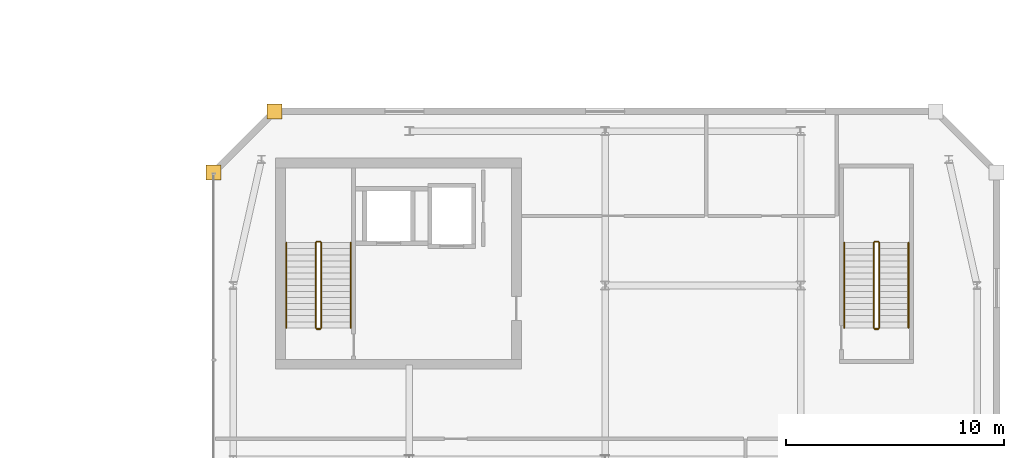
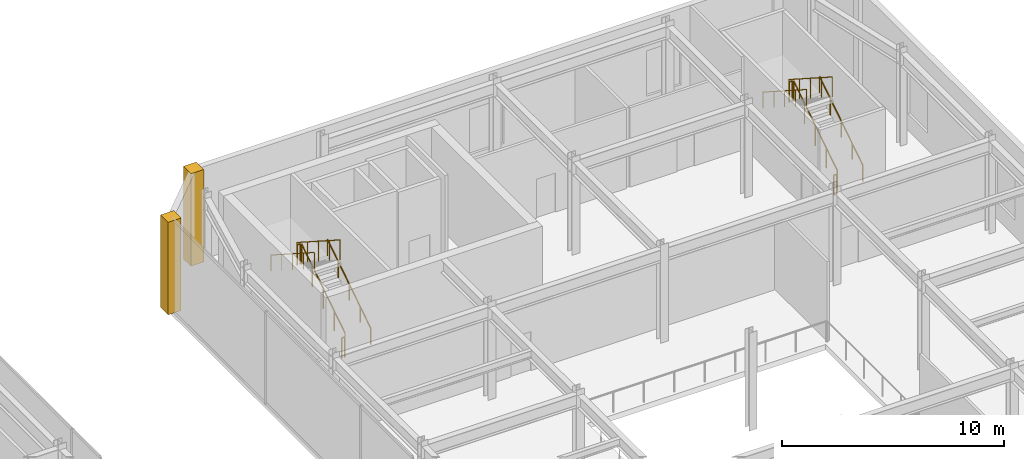
# One storey, part 51 of 52: 12 railings, 2 coverings.
"""IFC4 building model written with IfcOpenShell, lengths in metres."""

from ifc_helpers import new_model, si_unit, direction, frame, origin, origin_2d, place, context, subcontext, project, spatial, polyline, circle, outline, extrude, material, layer, layer_set, type_object, element, save


model = new_model("IFC4")

# Units and contexts
model_context = context("Model", 3, precision=1e-05, world=origin(), true_north=direction((0.0, 1.0)))
body_context = subcontext(model_context, "Body", "Model", "MODEL_VIEW")
ifc_project = project(units=[si_unit("LENGTHUNIT", "METRE"), si_unit("AREAUNIT", "SQUARE_METRE"), si_unit("VOLUMEUNIT", "CUBIC_METRE"), si_unit("PLANEANGLEUNIT", "RADIAN"), si_unit("MASSUNIT", "GRAM", prefix="KILO")], contexts=[model_context])

# Site, building, storey
site_placement = place(None, origin())
site = spatial("IfcSite", under=ifc_project, at=site_placement, CompositionType="ELEMENT")
building_placement = place(site_placement, origin())
building = spatial("IfcBuilding", under=site, at=building_placement, Name="Saevonmaru Cultural Tower", CompositionType="ELEMENT")
storey_placement = place(building_placement, frame((0.0, 0.0, 11.39990234375)))
storey = spatial("IfcBuildingStorey", under=building, at=storey_placement, Name="L02", CompositionType="ELEMENT", Elevation=11.39990234375)

# Coverings
ifc_material_1 = material(Name="Satin Bronze Anodised Aluminium", Category="aluminium")
ifc_layer = layer(ifc_material_1, 0.679931640625, Name="Satin Bronze Anodised Aluminium")
ifc_layer_set = layer_set([ifc_layer], Name="Satin Bronze Anodised Aluminium")
covering_type = type_object("IfcCoveringType", Name="CV-CORNER-CLAD", PredefinedType="CLADDING", material=ifc_layer_set)
covering_1_placement = place(storey_placement, origin())
element("IfcCovering", 1, at=covering_1_placement, inside=storey, type_object=covering_type, Name="L02 Library Bronze Corner Cladding Pier 7", PredefinedType="CLADDING", context=body_context, shape_type="SweptSolid", body=[
    extrude(outline(polyline([(74.659912109375, 47.659912109375), (75.340087890625, 47.659912109375), (75.340087890625, 48.340087890625), (74.659912109375, 48.340087890625), (74.659912109375, 47.659912109375)])), origin(), (0.0, 0.0, 1.0), 5.10009765625),
])
covering_2_placement = place(storey_placement, origin())
element("IfcCovering", 2, at=covering_2_placement, inside=storey, type_object=covering_type, Name="L02 Library Bronze Corner Cladding Pier 8", PredefinedType="CLADDING", context=body_context, shape_type="SweptSolid", body=[
    extrude(outline(polyline([(71.860107421875, 44.860107421875), (72.5400390625, 44.860107421875), (72.5400390625, 45.5400390625), (71.860107421875, 45.5400390625), (71.860107421875, 44.860107421875)])), origin(), (0.0, 0.0, 1.0), 5.10009765625),
])

# Railings
ifc_material_2 = material(Name="Architectural Painted Steel", Category="steel")
railing_type_1 = type_object("IfcRailingType", Name="RL-STAIR-GUARD", PredefinedType="GUARDRAIL", material=ifc_material_2)
railing_1_placement = place(storey_placement, frame((77.14990234375, 38.050048828125, 0.18017578125)))
element("IfcRailing", 3, at=railing_1_placement, inside=storey, type_object=railing_type_1, Name="L02 LST-1 stair guard 1", PredefinedType="GUARDRAIL", context=body_context, shape_type="SweptSolid", body=[
    extrude(circle(Radius=0.02392578125, at=origin_2d()), frame((0.0, 0.0, 1.09619140625), z_axis=(0.0, 0.841171666519, 0.540768182723), x_axis=(-1.0, 0.0, 0.0)), (0.0, 0.0, 1.0), 4.66015625),
    extrude(circle(Radius=0.02099609375, at=origin_2d()), origin(), (0.0, 0.0, 1.0), 1.072021484375),
    extrude(circle(Radius=0.02099609375, at=origin_2d()), frame((0.0, 0.97998046875, 0.6298828125)), (0.0, 0.0, 1.0), 1.072021484375),
    extrude(circle(Radius=0.02099609375, at=origin_2d()), frame((0.0, 1.9599609375, 1.260009765625)), (0.0, 0.0, 1.0), 1.072021484375),
    extrude(circle(Radius=0.02099609375, at=origin_2d()), frame((0.0, 2.93994140625, 1.89013671875)), (0.0, 0.0, 1.0), 1.072021484375),
    extrude(circle(Radius=0.02099609375, at=origin_2d()), frame((0.0, 3.919921875, 2.52001953125)), (0.0, 0.0, 1.0), 1.072021484375),
])
railing_2_placement = place(storey_placement, frame((77.10009765625, 42.02001953125, 2.7001953125)))
element("IfcRailing", 4, at=railing_2_placement, inside=storey, type_object=railing_type_1, Name="L02 LST-1 stair guard 2", PredefinedType="GUARDRAIL", context=body_context, shape_type="SweptSolid", body=[
    extrude(circle(Radius=0.02392578125, at=origin_2d()), frame((0.0, 0.0, 1.09619140625), z_axis=(-1.0, 0.0, 0.0), x_axis=(0.0, -1.0, 0.0)), (0.0, 0.0, 1.0), 0.150146484375),
    extrude(circle(Radius=0.02099609375, at=origin_2d()), origin(), (0.0, 0.0, 1.0), 1.072021484375),
    extrude(circle(Radius=0.02099609375, at=origin_2d()), frame((-0.150146484375, 0.0, 0.0)), (0.0, 0.0, 1.0), 1.072021484375),
])
railing_3_placement = place(storey_placement, frame((76.89990234375, 41.969970703125, 2.880126953125)))
element("IfcRailing", 5, at=railing_3_placement, inside=storey, type_object=railing_type_1, Name="L02 LST-1 stair guard 3", PredefinedType="GUARDRAIL", context=body_context, shape_type="SweptSolid", body=[
    extrude(circle(Radius=0.02392578125, at=origin_2d()), frame((0.0, 0.0, 1.09619140625), z_axis=(0.0, -0.841171666519, 0.540768182723), x_axis=(1.0, 0.0, 0.0)), (0.0, 0.0, 1.0), 4.66015625),
    extrude(circle(Radius=0.02099609375, at=origin_2d()), origin(), (0.0, 0.0, 1.0), 1.072021484375),
    extrude(circle(Radius=0.02099609375, at=origin_2d()), frame((0.0, -0.97998046875, 0.6298828125)), (0.0, 0.0, 1.0), 1.072021484375),
    extrude(circle(Radius=0.02099609375, at=origin_2d()), frame((0.0, -1.9599609375, 1.260009765625)), (0.0, 0.0, 1.0), 1.072021484375),
    extrude(circle(Radius=0.02099609375, at=origin_2d()), frame((0.0, -2.93994140625, 1.89013671875)), (0.0, 0.0, 1.0), 1.072021484375),
    extrude(circle(Radius=0.02099609375, at=origin_2d()), frame((0.0, -3.919921875, 2.52001953125)), (0.0, 0.0, 1.0), 1.072021484375),
])
railing_4_placement = place(storey_placement, frame((77.10009765625, 38.0, 0.0)))
element("IfcRailing", 6, at=railing_4_placement, inside=storey, type_object=railing_type_1, Name="L02 LST-1 stair guard 4", PredefinedType="GUARDRAIL", context=body_context, shape_type="SweptSolid", body=[
    extrude(circle(Radius=0.02392578125, at=origin_2d()), frame((0.0, 0.0, 1.09619140625), z_axis=(-1.0, 0.0, 0.0), x_axis=(0.0, -1.0, 0.0)), (0.0, 0.0, 1.0), 0.150146484375),
    extrude(circle(Radius=0.02099609375, at=origin_2d()), origin(), (0.0, 0.0, 1.0), 1.072021484375),
    extrude(circle(Radius=0.02099609375, at=origin_2d()), frame((-0.150146484375, 0.0, 0.0)), (0.0, 0.0, 1.0), 1.072021484375),
])
railing_5_placement = place(storey_placement, frame((102.800048828125, 38.050048828125, 0.18017578125)))
element("IfcRailing", 7, at=railing_5_placement, inside=storey, type_object=railing_type_1, Name="L02 LST-2 stair guard 1", PredefinedType="GUARDRAIL", context=body_context, shape_type="SweptSolid", body=[
    extrude(circle(Radius=0.02392578125, at=origin_2d()), frame((0.0, 0.0, 1.09619140625), z_axis=(0.0, 0.841171666519, 0.540768182723), x_axis=(-1.0, 0.0, 0.0)), (0.0, 0.0, 1.0), 4.66015625),
    extrude(circle(Radius=0.02099609375, at=origin_2d()), origin(), (0.0, 0.0, 1.0), 1.072021484375),
    extrude(circle(Radius=0.02099609375, at=origin_2d()), frame((0.0, 0.97998046875, 0.6298828125)), (0.0, 0.0, 1.0), 1.072021484375),
    extrude(circle(Radius=0.02099609375, at=origin_2d()), frame((0.0, 1.9599609375, 1.260009765625)), (0.0, 0.0, 1.0), 1.072021484375),
    extrude(circle(Radius=0.02099609375, at=origin_2d()), frame((0.0, 2.93994140625, 1.89013671875)), (0.0, 0.0, 1.0), 1.072021484375),
    extrude(circle(Radius=0.02099609375, at=origin_2d()), frame((0.0, 3.919921875, 2.52001953125)), (0.0, 0.0, 1.0), 1.072021484375),
])
railing_6_placement = place(storey_placement, frame((102.75, 42.02001953125, 2.7001953125)))
element("IfcRailing", 8, at=railing_6_placement, inside=storey, type_object=railing_type_1, Name="L02 LST-2 stair guard 2", PredefinedType="GUARDRAIL", context=body_context, shape_type="SweptSolid", body=[
    extrude(circle(Radius=0.02392578125, at=origin_2d()), frame((0.0, 0.0, 1.09619140625), z_axis=(-1.0, 0.0, 0.0), x_axis=(0.0, -1.0, 0.0)), (0.0, 0.0, 1.0), 0.14990234375),
    extrude(circle(Radius=0.02099609375, at=origin_2d()), origin(), (0.0, 0.0, 1.0), 1.072021484375),
    extrude(circle(Radius=0.02099609375, at=origin_2d()), frame((-0.14990234375, 0.0, 0.0)), (0.0, 0.0, 1.0), 1.072021484375),
])
railing_7_placement = place(storey_placement, frame((102.550048828125, 41.969970703125, 2.880126953125)))
element("IfcRailing", 9, at=railing_7_placement, inside=storey, type_object=railing_type_1, Name="L02 LST-2 stair guard 3", PredefinedType="GUARDRAIL", context=body_context, shape_type="SweptSolid", body=[
    extrude(circle(Radius=0.02392578125, at=origin_2d()), frame((0.0, 0.0, 1.09619140625), z_axis=(0.0, -0.841171666519, 0.540768182723), x_axis=(1.0, 0.0, 0.0)), (0.0, 0.0, 1.0), 4.66015625),
    extrude(circle(Radius=0.02099609375, at=origin_2d()), origin(), (0.0, 0.0, 1.0), 1.072021484375),
    extrude(circle(Radius=0.02099609375, at=origin_2d()), frame((0.0, -0.97998046875, 0.6298828125)), (0.0, 0.0, 1.0), 1.072021484375),
    extrude(circle(Radius=0.02099609375, at=origin_2d()), frame((0.0, -1.9599609375, 1.260009765625)), (0.0, 0.0, 1.0), 1.072021484375),
    extrude(circle(Radius=0.02099609375, at=origin_2d()), frame((0.0, -2.93994140625, 1.89013671875)), (0.0, 0.0, 1.0), 1.072021484375),
    extrude(circle(Radius=0.02099609375, at=origin_2d()), frame((0.0, -3.919921875, 2.52001953125)), (0.0, 0.0, 1.0), 1.072021484375),
])
railing_8_placement = place(storey_placement, frame((102.75, 38.0, 0.0)))
element("IfcRailing", 10, at=railing_8_placement, inside=storey, type_object=railing_type_1, Name="L02 LST-2 stair guard 4", PredefinedType="GUARDRAIL", context=body_context, shape_type="SweptSolid", body=[
    extrude(circle(Radius=0.02392578125, at=origin_2d()), frame((0.0, 0.0, 1.09619140625), z_axis=(-1.0, 0.0, 0.0), x_axis=(0.0, -1.0, 0.0)), (0.0, 0.0, 1.0), 0.14990234375),
    extrude(circle(Radius=0.02099609375, at=origin_2d()), origin(), (0.0, 0.0, 1.0), 1.072021484375),
    extrude(circle(Radius=0.02099609375, at=origin_2d()), frame((-0.14990234375, 0.0, 0.0)), (0.0, 0.0, 1.0), 1.072021484375),
])
railing_type_2 = type_object("IfcRailingType", Name="RL-STAIR-HANDRAIL", PredefinedType="HANDRAIL", material=ifc_material_1)
railing_9_placement = place(storey_placement, frame((78.5, 38.050048828125, 0.18017578125)))
element("IfcRailing", 11, at=railing_9_placement, inside=storey, type_object=railing_type_2, Name="L02 LST-1 stair handrail 1", PredefinedType="HANDRAIL", context=body_context, shape_type="SweptSolid", body=[
    extrude(circle(Radius=0.02392578125, at=origin_2d()), frame((0.0, 0.0, 0.8759765625), z_axis=(0.0, 0.841171666519, 0.540768182723), x_axis=(-1.0, 0.0, 0.0)), (0.0, 0.0, 1.0), 4.66015625),
    extrude(circle(Radius=0.02099609375, at=origin_2d()), origin(), (0.0, 0.0, 1.0), 0.851806640625),
    extrude(circle(Radius=0.02099609375, at=origin_2d()), frame((0.0, 0.97998046875, 0.6298828125)), (0.0, 0.0, 1.0), 0.851806640625),
    extrude(circle(Radius=0.02099609375, at=origin_2d()), frame((0.0, 1.9599609375, 1.260009765625)), (0.0, 0.0, 1.0), 0.851806640625),
    extrude(circle(Radius=0.02099609375, at=origin_2d()), frame((0.0, 2.93994140625, 1.89013671875)), (0.0, 0.0, 1.0), 0.851806640625),
    extrude(circle(Radius=0.02099609375, at=origin_2d()), frame((0.0, 3.919921875, 2.52001953125)), (0.0, 0.0, 1.0), 0.851806640625),
])
railing_10_placement = place(storey_placement, frame((75.550048828125, 41.969970703125, 2.880126953125)))
element("IfcRailing", 12, at=railing_10_placement, inside=storey, type_object=railing_type_2, Name="L02 LST-1 stair handrail 2", PredefinedType="HANDRAIL", context=body_context, shape_type="SweptSolid", body=[
    extrude(circle(Radius=0.02392578125, at=origin_2d()), frame((0.0, 0.0, 0.8759765625), z_axis=(0.0, -0.841171666519, 0.540768182723), x_axis=(1.0, 0.0, 0.0)), (0.0, 0.0, 1.0), 4.66015625),
    extrude(circle(Radius=0.02099609375, at=origin_2d()), origin(), (0.0, 0.0, 1.0), 0.851806640625),
    extrude(circle(Radius=0.02099609375, at=origin_2d()), frame((0.0, -0.97998046875, 0.6298828125)), (0.0, 0.0, 1.0), 0.851806640625),
    extrude(circle(Radius=0.02099609375, at=origin_2d()), frame((0.0, -1.9599609375, 1.260009765625)), (0.0, 0.0, 1.0), 0.851806640625),
    extrude(circle(Radius=0.02099609375, at=origin_2d()), frame((0.0, -2.93994140625, 1.89013671875)), (0.0, 0.0, 1.0), 0.851806640625),
    extrude(circle(Radius=0.02099609375, at=origin_2d()), frame((0.0, -3.919921875, 2.52001953125)), (0.0, 0.0, 1.0), 0.851806640625),
])
railing_11_placement = place(storey_placement, frame((104.14990234375, 38.050048828125, 0.18017578125)))
element("IfcRailing", 13, at=railing_11_placement, inside=storey, type_object=railing_type_2, Name="L02 LST-2 stair handrail 1", PredefinedType="HANDRAIL", context=body_context, shape_type="SweptSolid", body=[
    extrude(circle(Radius=0.02392578125, at=origin_2d()), frame((0.0, 0.0, 0.8759765625), z_axis=(0.0, 0.841171666519, 0.540768182723), x_axis=(-1.0, 0.0, 0.0)), (0.0, 0.0, 1.0), 4.66015625),
    extrude(circle(Radius=0.02099609375, at=origin_2d()), origin(), (0.0, 0.0, 1.0), 0.851806640625),
    extrude(circle(Radius=0.02099609375, at=origin_2d()), frame((0.0, 0.97998046875, 0.6298828125)), (0.0, 0.0, 1.0), 0.851806640625),
    extrude(circle(Radius=0.02099609375, at=origin_2d()), frame((0.0, 1.9599609375, 1.260009765625)), (0.0, 0.0, 1.0), 0.851806640625),
    extrude(circle(Radius=0.02099609375, at=origin_2d()), frame((0.0, 2.93994140625, 1.89013671875)), (0.0, 0.0, 1.0), 0.851806640625),
    extrude(circle(Radius=0.02099609375, at=origin_2d()), frame((0.0, 3.919921875, 2.52001953125)), (0.0, 0.0, 1.0), 0.851806640625),
])
railing_12_placement = place(storey_placement, frame((101.199951171875, 41.969970703125, 2.880126953125)))
element("IfcRailing", 14, at=railing_12_placement, inside=storey, type_object=railing_type_2, Name="L02 LST-2 stair handrail 2", PredefinedType="HANDRAIL", context=body_context, shape_type="SweptSolid", body=[
    extrude(circle(Radius=0.02392578125, at=origin_2d()), frame((0.0, 0.0, 0.8759765625), z_axis=(0.0, -0.841171666519, 0.540768182723), x_axis=(1.0, 0.0, 0.0)), (0.0, 0.0, 1.0), 4.66015625),
    extrude(circle(Radius=0.02099609375, at=origin_2d()), origin(), (0.0, 0.0, 1.0), 0.851806640625),
    extrude(circle(Radius=0.02099609375, at=origin_2d()), frame((0.0, -0.97998046875, 0.6298828125)), (0.0, 0.0, 1.0), 0.851806640625),
    extrude(circle(Radius=0.02099609375, at=origin_2d()), frame((0.0, -1.9599609375, 1.260009765625)), (0.0, 0.0, 1.0), 0.851806640625),
    extrude(circle(Radius=0.02099609375, at=origin_2d()), frame((0.0, -2.93994140625, 1.89013671875)), (0.0, 0.0, 1.0), 0.851806640625),
    extrude(circle(Radius=0.02099609375, at=origin_2d()), frame((0.0, -3.919921875, 2.52001953125)), (0.0, 0.0, 1.0), 0.851806640625),
])

save(model, "model.ifc")
